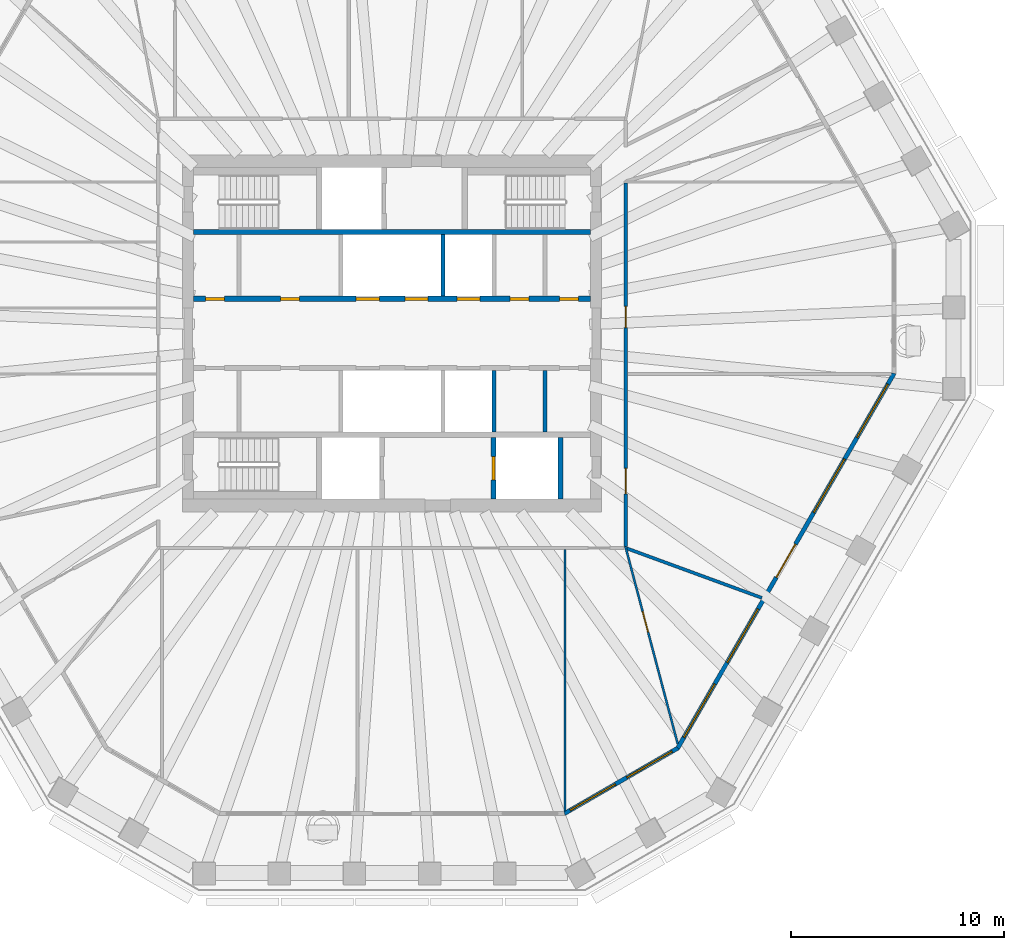
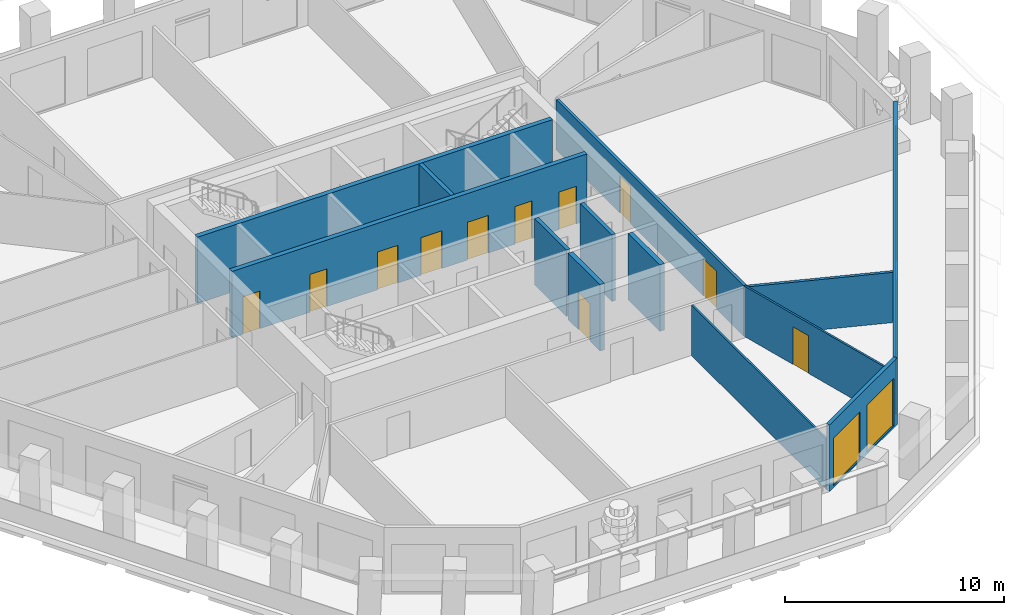
# One storey, part 5 of 12: 13 walls, 12 doors, 7 windows, 19 openings.
"""IFC4 building model written with IfcOpenShell, lengths in metres."""

from ifc_helpers import new_model, si_unit, direction, frame, frame_2d, origin, place, context, subcontext, project, spatial, polyline, rectangle, outline, extrude, material, layer, layer_set, type_object, element, fill, save


model = new_model("IFC4")

# Units and contexts
model_context = context("Model", 3, precision=1e-05, world=origin(), true_north=direction((0.0, 1.0)))
body_context = subcontext(model_context, "Body", "Model", "MODEL_VIEW")
ifc_project = project(units=[si_unit("LENGTHUNIT", "METRE"), si_unit("AREAUNIT", "SQUARE_METRE"), si_unit("VOLUMEUNIT", "CUBIC_METRE"), si_unit("PLANEANGLEUNIT", "RADIAN"), si_unit("MASSUNIT", "GRAM", prefix="KILO")], contexts=[model_context])

# Site, building, storey
site_placement = place(None, origin())
site = spatial("IfcSite", under=ifc_project, at=site_placement, CompositionType="ELEMENT")
building_placement = place(site_placement, origin())
building = spatial("IfcBuilding", under=site, at=building_placement, Name="Frailejon Research Tower", CompositionType="ELEMENT")
storey_placement = place(building_placement, frame((0.0, 0.0, 249.39990234375)))
storey = spatial("IfcBuildingStorey", under=building, at=storey_placement, Name="L54", CompositionType="ELEMENT", Elevation=249.39990234375)

# Wall, openings, doors
ifc_material_1 = material(Name="Gypsum board and masonry partition", Category="masonry")
ifc_layer_1 = layer(ifc_material_1, 0.14990234375)
ifc_layer_set_1 = layer_set([ifc_layer_1], Name="Corridor wall EI 60, gypsum on steel studs 150")
wall_type_1 = type_object("IfcWallType", Name="Corridor wall EI 60, gypsum on steel studs 150", PredefinedType="PARTITIONING", material=ifc_layer_set_1)
wall_1_placement = place(storey_placement, frame((11.0, -10.02490234375, 0.0), z_axis=(0.0, 0.0, 1.0), x_axis=(0.0, 1.0, 0.0)))
wall_1 = element("IfcWall", 1, at=wall_1_placement, inside=storey, type_object=wall_type_1, Name="T:IW:L54:005", PredefinedType="PARTITIONING", context=body_context, shape_type="SweptSolid", body=[
    extrude(rectangle(XDim=17.09228515625, YDim=0.14990234375, at=frame_2d((8.546142578125, 0.0))), origin(), (0.0, 0.0, 1.0), 2.800048828125),
])
opening_1_placement = place(wall_1_placement, frame((10.297607421875, 0.0, 0.0)))
opening_1 = element("IfcOpeningElement", 2, at=opening_1_placement, cuts=wall_1, Name="Opening D2051", PredefinedType="OPENING", context=body_context, shape_type="SweptSolid", body=[
    extrude(rectangle(XDim=1.0, YDim=2.10009765625, at=frame_2d((0.5, 1.050048828125))), frame((0.0, 0.0849609375, 0.0), z_axis=(0.0, -1.0, 0.0), x_axis=(1.0, 0.0, 0.0)), (0.0, 0.0, 1.0), 0.169921875),
])
opening_2_placement = place(wall_1_placement, frame((2.476806640625, 0.0, 0.0)))
opening_2 = element("IfcOpeningElement", 3, at=opening_2_placement, cuts=wall_1, Name="Opening D2070", PredefinedType="OPENING", context=body_context, shape_type="SweptSolid", body=[
    extrude(rectangle(XDim=1.199951171875, YDim=2.10009765625, at=frame_2d((0.60009765625, 1.050048828125))), frame((0.0, 0.0849609375, 0.0), z_axis=(0.0, -1.0, 0.0), x_axis=(1.0, 0.0, 0.0)), (0.0, 0.0, 1.0), 0.169921875),
])
ifc_material_2 = material(Name="Timber door leaf", Category="wood")
door_type_1 = type_object("IfcDoorType", Name="Door laboratory, timber, vision panel 1200", OperationType="NOTDEFINED", PredefinedType="DOOR", material=ifc_material_2)
door_1_placement = place(opening_2_placement, origin())
door_1 = element("IfcDoor", 4, at=door_1_placement, inside=storey, type_object=door_type_1, Name="D2070", OperationType="DOUBLE_DOOR_SINGLE_SWING", OverallHeight=2.10009765625, OverallWidth=1.199951171875, PredefinedType="DOOR", context=body_context, shape_type="SweptSolid", body=[
    extrude(rectangle(XDim=1.199951171875, YDim=2.10009765625, at=frame_2d((0.60009765625, 1.050048828125))), frame((0.0, 0.02490234375, 0.0), z_axis=(0.0, -1.0, 0.0), x_axis=(1.0, 0.0, 0.0)), (0.0, 0.0, 1.0), 0.050048828125),
])
fill(opening_2, door_1)
ifc_material_3 = material(Name="Timber door leaf", Category="wood")
door_type_2 = type_object("IfcDoorType", Name="Door single leaf, timber, steel frame 1000", OperationType="NOTDEFINED", PredefinedType="DOOR", material=ifc_material_3)
door_2_placement = place(opening_1_placement, origin())
door_2 = element("IfcDoor", 5, at=door_2_placement, inside=storey, type_object=door_type_2, Name="D2051", OperationType="SINGLE_SWING_RIGHT", OverallHeight=2.10009765625, OverallWidth=1.0, PredefinedType="DOOR", context=body_context, shape_type="SweptSolid", body=[
    extrude(rectangle(XDim=1.0, YDim=2.10009765625, at=frame_2d((0.5, 1.050048828125))), frame((0.0, 0.02490234375, 0.0), z_axis=(0.0, -1.0, 0.0), x_axis=(1.0, 0.0, 0.0)), (0.0, 0.0, 1.0), 0.050048828125),
])
fill(opening_1, door_2)

# Walls
ifc_material_4 = material(Name="Gypsum board and masonry partition", Category="masonry")
ifc_layer_2 = layer(ifc_material_4, 0.14990234375)
ifc_layer_set_2 = layer_set([ifc_layer_2], Name="Laboratory partition, blockwork 150")
wall_type_2 = type_object("IfcWallType", Name="Laboratory partition, blockwork 150", PredefinedType="PARTITIONING", material=ifc_layer_set_2)
wall_2_placement = place(storey_placement, frame((11.046875, -10.1171875, 0.0), z_axis=(0.0, 0.0, 1.0), x_axis=(0.938944627459, -0.344068287649, 0.0)))
element("IfcWall", 6, at=wall_2_placement, inside=storey, type_object=wall_type_2, Name="T:IW:L54:016", PredefinedType="PARTITIONING", context=body_context, shape_type="SweptSolid", body=[
    extrude(rectangle(XDim=6.77490234375, YDim=0.14990234375, at=frame_2d((3.387451171875, 0.0))), origin(), (0.0, 0.0, 1.0), 2.800048828125),
])
ifc_material_5 = material(Name="Gypsum board and masonry partition", Category="masonry")
ifc_layer_3 = layer(ifc_material_5, 0.10009765625)
ifc_layer_set_3 = layer_set([ifc_layer_3], Name="Partition, gypsum on steel studs 100")
wall_type_3 = type_object("IfcWallType", Name="Partition, gypsum on steel studs 100", PredefinedType="PARTITIONING", material=ifc_layer_set_3)
wall_3_placement = place(storey_placement, frame((8.14013671875, -22.46337890625, 0.0), z_axis=(0.0, 0.0, 1.0), x_axis=(0.0, 1.0, 0.0)))
element("IfcWall", 7, at=wall_3_placement, inside=storey, type_object=wall_type_3, Name="T:IW:L54:027", PredefinedType="PARTITIONING", context=body_context, shape_type="SweptSolid", body=[
    extrude(rectangle(XDim=12.288330078125, YDim=0.10009765625, at=frame_2d((6.14404296875, 0.0))), origin(), (0.0, 0.0, 1.0), 2.800048828125),
])

# Wall, opening, door
wall_4_placement = place(storey_placement, frame((10.980712890625, -10.027587890625, 0.0), z_axis=(0.0, 0.0, 1.0), x_axis=(0.256182332318, -0.966628477031, 0.0)))
wall_4 = element("IfcWall", 8, at=wall_4_placement, inside=storey, type_object=wall_type_3, Name="T:IW:L54:028", PredefinedType="PARTITIONING", context=body_context, shape_type="SweptSolid", body=[
    extrude(rectangle(XDim=9.610107421875, YDim=0.10009765625, at=frame_2d((4.80517578125, 0.0))), origin(), (0.0, 0.0, 1.0), 2.800048828125),
])
opening_3_placement = place(wall_4_placement, frame((3.167236328125, 0.0, 0.0)))
opening_3 = element("IfcOpeningElement", 9, at=opening_3_placement, cuts=wall_4, Name="Opening D2069", PredefinedType="OPENING", context=body_context, shape_type="SweptSolid", body=[
    extrude(rectangle(XDim=1.0, YDim=2.10009765625, at=frame_2d((0.5, 1.050048828125))), frame((0.0, 0.06005859375, 0.0), z_axis=(0.0, -1.0, 0.0), x_axis=(1.0, 0.0, 0.0)), (0.0, 0.0, 1.0), 0.1201171875),
])
door_3_placement = place(opening_3_placement, origin())
door_3 = element("IfcDoor", 10, at=door_3_placement, inside=storey, type_object=door_type_2, Name="D2069", OperationType="SINGLE_SWING_RIGHT", OverallHeight=2.10009765625, OverallWidth=1.0, PredefinedType="DOOR", context=body_context, shape_type="SweptSolid", body=[
    extrude(rectangle(XDim=1.0, YDim=2.10009765625, at=frame_2d((0.5, 1.050048828125))), frame((0.0, 0.02490234375, 0.0), z_axis=(0.0, -1.0, 0.0), x_axis=(1.0, 0.0, 0.0)), (0.0, 0.0, 1.0), 0.050048828125),
])
fill(opening_3, door_3)

# Walls
ifc_material_6 = material(Name="Concrete C60/75", Category="concrete")
ifc_layer_4 = layer(ifc_material_6, 0.199951171875)
ifc_layer_set_4 = layer_set([ifc_layer_4], Name="Shaft wall 200 C60/75")
wall_type_4 = type_object("IfcWallType", Name="Shaft wall 200 C60/75", PredefinedType="SOLIDWALL", material=ifc_layer_set_4)
for number, where, z_axis, x_axis, name in (
    (11, (2.39990234375, 1.75, 0.0), (0.0, 0.0, 1.0), (0.0, 1.0, 0.0), "Shaft wall"),
    (12, (4.800048828125, -4.64990234375, 0.0), (0.0, 0.0, 1.0), (0.0, 1.0, 0.0), "Shaft wall"),
    (13, (7.199951171875, -4.64990234375, 0.0), (0.0, 0.0, 1.0), (0.0, 1.0, 0.0), "Shaft wall"),
):
    element("IfcWall", number, at=place(storey_placement, frame(where, z_axis=z_axis, x_axis=x_axis)), inside=storey, type_object=wall_type_4, Name=name, PredefinedType="SOLIDWALL", context=body_context, shape_type="SweptSolid", body=[
        extrude(rectangle(XDim=2.89990234375, YDim=0.199951171875, at=frame_2d((1.449951171875, 0.0))), origin(), (0.0, 0.0, 1.0), 3.7001953125),
    ])

# Wall, openings, doors
ifc_material_7 = material(Name="Concrete C60/75", Category="concrete")
ifc_layer_5 = layer(ifc_material_7, 0.25)
ifc_layer_set_5 = layer_set([ifc_layer_5], Name="Shaft wall 250 C60/75")
wall_type_5 = type_object("IfcWallType", Name="Shaft wall 250 C60/75", PredefinedType="SOLIDWALL", material=ifc_layer_set_5)
wall_5_placement = place(storey_placement, frame((-9.35009765625, 1.625, 0.0), z_axis=(0.0, 0.0, 1.0), x_axis=(1.0, 0.0, 0.0)))
wall_5 = element("IfcWall", 14, at=wall_5_placement, inside=storey, type_object=wall_type_5, Name="Shaft wall", PredefinedType="SOLIDWALL", context=body_context, shape_type="SweptSolid", body=[
    extrude(rectangle(XDim=18.7001953125, YDim=0.25, at=frame_2d((9.35009765625, 0.0))), origin(), (0.0, 0.0, 1.0), 3.7001953125),
])
opening_4_placement = place(wall_5_placement, frame((7.64990234375, 0.0, 0.0)))
opening_4 = element("IfcOpeningElement", 15, at=opening_4_placement, cuts=wall_5, Name="Opening LD", PredefinedType="OPENING", context=body_context, shape_type="SweptSolid", body=[
    extrude(rectangle(XDim=1.10009765625, YDim=2.10009765625, at=frame_2d((0.550048828125, 1.050048828125))), frame((0.0, 0.135009765625, 0.0), z_axis=(0.0, -1.0, 0.0), x_axis=(1.0, 0.0, 0.0)), (0.0, 0.0, 1.0), 0.27001953125),
])
opening_5_placement = place(wall_5_placement, frame((9.949951171875, 0.0, 0.0)))
opening_5 = element("IfcOpeningElement", 16, at=opening_5_placement, cuts=wall_5, Name="Opening LD", PredefinedType="OPENING", context=body_context, shape_type="SweptSolid", body=[
    extrude(rectangle(XDim=1.10009765625, YDim=2.10009765625, at=frame_2d((0.550048828125, 1.050048828125))), frame((0.0, 0.135009765625, 0.0), z_axis=(0.0, -1.0, 0.0), x_axis=(1.0, 0.0, 0.0)), (0.0, 0.0, 1.0), 0.27001953125),
])
opening_6_placement = place(wall_5_placement, frame((12.39990234375, 0.0, 0.0)))
opening_6 = element("IfcOpeningElement", 17, at=opening_6_placement, cuts=wall_5, Name="Opening LD", PredefinedType="OPENING", context=body_context, shape_type="SweptSolid", body=[
    extrude(rectangle(XDim=1.10009765625, YDim=2.10009765625, at=frame_2d((0.550048828125, 1.050048828125))), frame((0.0, 0.135009765625, 0.0), z_axis=(0.0, -1.0, 0.0), x_axis=(1.0, 0.0, 0.0)), (0.0, 0.0, 1.0), 0.27001953125),
])
opening_7_placement = place(wall_5_placement, frame((0.574951171875, 0.0, 0.0)))
opening_7 = element("IfcOpeningElement", 18, at=opening_7_placement, cuts=wall_5, Name="Opening D8", PredefinedType="OPENING", context=body_context, shape_type="SweptSolid", body=[
    extrude(rectangle(XDim=0.89990234375, YDim=2.10009765625, at=frame_2d((0.449951171875, 1.050048828125))), frame((0.0, 0.135009765625, 0.0), z_axis=(0.0, -1.0, 0.0), x_axis=(1.0, 0.0, 0.0)), (0.0, 0.0, 1.0), 0.27001953125),
])
opening_8_placement = place(wall_5_placement, frame((4.10009765625, 0.0, 0.0)))
opening_8 = element("IfcOpeningElement", 19, at=opening_8_placement, cuts=wall_5, Name="Opening D8", PredefinedType="OPENING", context=body_context, shape_type="SweptSolid", body=[
    extrude(rectangle(XDim=0.89990234375, YDim=2.10009765625, at=frame_2d((0.449951171875, 1.050048828125))), frame((0.0, 0.135009765625, 0.0), z_axis=(0.0, -1.0, 0.0), x_axis=(1.0, 0.0, 0.0)), (0.0, 0.0, 1.0), 0.27001953125),
])
opening_9_placement = place(wall_5_placement, frame((14.89990234375, 0.0, 0.0)))
opening_9 = element("IfcOpeningElement", 20, at=opening_9_placement, cuts=wall_5, Name="Opening D8", PredefinedType="OPENING", context=body_context, shape_type="SweptSolid", body=[
    extrude(rectangle(XDim=0.89990234375, YDim=2.10009765625, at=frame_2d((0.449951171875, 1.050048828125))), frame((0.0, 0.135009765625, 0.0), z_axis=(0.0, -1.0, 0.0), x_axis=(1.0, 0.0, 0.0)), (0.0, 0.0, 1.0), 0.27001953125),
])
opening_10_placement = place(wall_5_placement, frame((17.22509765625, 0.0, 0.0)))
opening_10 = element("IfcOpeningElement", 21, at=opening_10_placement, cuts=wall_5, Name="Opening D8", PredefinedType="OPENING", context=body_context, shape_type="SweptSolid", body=[
    extrude(rectangle(XDim=0.89990234375, YDim=2.10009765625, at=frame_2d((0.449951171875, 1.050048828125))), frame((0.0, 0.135009765625, 0.0), z_axis=(0.0, -1.0, 0.0), x_axis=(1.0, 0.0, 0.0)), (0.0, 0.0, 1.0), 0.27001953125),
])
ifc_material_8 = material(Name="Steel", Category="steel")
door_type_3 = type_object("IfcDoorType", Name="Core room door", OperationType="SINGLE_SWING_LEFT", PredefinedType="DOOR", material=ifc_material_8)
door_4_placement = place(opening_7_placement, origin())
door_4 = element("IfcDoor", 22, at=door_4_placement, inside=storey, type_object=door_type_3, Name="Room door", OperationType="SINGLE_SWING_RIGHT", OverallHeight=2.10009765625, OverallWidth=0.89990234375, PredefinedType="DOOR", context=body_context, shape_type="SweptSolid", body=[
    extrude(rectangle(XDim=0.89990234375, YDim=2.10009765625, at=frame_2d((0.449951171875, 1.050048828125))), frame((0.0, 0.074951171875, 0.0), z_axis=(0.0, -1.0, 0.0), x_axis=(1.0, 0.0, 0.0)), (0.0, 0.0, 1.0), 0.14990234375),
])
fill(opening_7, door_4)
door_5_placement = place(opening_8_placement, origin())
door_5 = element("IfcDoor", 23, at=door_5_placement, inside=storey, type_object=door_type_3, Name="Room door", OperationType="SINGLE_SWING_LEFT", OverallHeight=2.10009765625, OverallWidth=0.89990234375, PredefinedType="DOOR", context=body_context, shape_type="SweptSolid", body=[
    extrude(rectangle(XDim=0.89990234375, YDim=2.10009765625, at=frame_2d((0.449951171875, 1.050048828125))), frame((0.0, 0.074951171875, 0.0), z_axis=(0.0, -1.0, 0.0), x_axis=(1.0, 0.0, 0.0)), (0.0, 0.0, 1.0), 0.14990234375),
])
fill(opening_8, door_5)
door_6_placement = place(opening_9_placement, origin())
door_6 = element("IfcDoor", 24, at=door_6_placement, inside=storey, type_object=door_type_3, Name="Room door", OperationType="SINGLE_SWING_RIGHT", OverallHeight=2.10009765625, OverallWidth=0.89990234375, PredefinedType="DOOR", context=body_context, shape_type="SweptSolid", body=[
    extrude(rectangle(XDim=0.89990234375, YDim=2.10009765625, at=frame_2d((0.449951171875, 1.050048828125))), frame((0.0, 0.074951171875, 0.0), z_axis=(0.0, -1.0, 0.0), x_axis=(1.0, 0.0, 0.0)), (0.0, 0.0, 1.0), 0.14990234375),
])
fill(opening_9, door_6)
door_7_placement = place(opening_10_placement, origin())
door_7 = element("IfcDoor", 25, at=door_7_placement, inside=storey, type_object=door_type_3, Name="Room door", OperationType="SINGLE_SWING_LEFT", OverallHeight=2.10009765625, OverallWidth=0.89990234375, PredefinedType="DOOR", context=body_context, shape_type="SweptSolid", body=[
    extrude(rectangle(XDim=0.89990234375, YDim=2.10009765625, at=frame_2d((0.449951171875, 1.050048828125))), frame((0.0, 0.074951171875, 0.0), z_axis=(0.0, -1.0, 0.0), x_axis=(1.0, 0.0, 0.0)), (0.0, 0.0, 1.0), 0.14990234375),
])
fill(opening_10, door_7)
ifc_material_9 = material(Name="Steel", Category="steel")
door_type_4 = type_object("IfcDoorType", Name="Lift landing door", OperationType="DOUBLE_DOOR_SLIDING", PredefinedType="DOOR", material=ifc_material_9)
door_8_placement = place(opening_4_placement, origin())
door_8 = element("IfcDoor", 26, at=door_8_placement, inside=storey, type_object=door_type_4, Name="Lift landing door", OperationType="DOUBLE_DOOR_SLIDING", OverallHeight=2.10009765625, OverallWidth=1.10009765625, PredefinedType="DOOR", context=body_context, shape_type="SweptSolid", body=[
    extrude(rectangle(XDim=1.10009765625, YDim=2.10009765625, at=frame_2d((0.550048828125, 1.050048828125))), frame((0.0, 0.074951171875, 0.0), z_axis=(0.0, -1.0, 0.0), x_axis=(1.0, 0.0, 0.0)), (0.0, 0.0, 1.0), 0.14990234375),
])
fill(opening_4, door_8)
door_9_placement = place(opening_5_placement, origin())
door_9 = element("IfcDoor", 27, at=door_9_placement, inside=storey, type_object=door_type_4, Name="Lift landing door", OperationType="DOUBLE_DOOR_SLIDING", OverallHeight=2.10009765625, OverallWidth=1.10009765625, PredefinedType="DOOR", context=body_context, shape_type="SweptSolid", body=[
    extrude(rectangle(XDim=1.10009765625, YDim=2.10009765625, at=frame_2d((0.550048828125, 1.050048828125))), frame((0.0, 0.074951171875, 0.0), z_axis=(0.0, -1.0, 0.0), x_axis=(1.0, 0.0, 0.0)), (0.0, 0.0, 1.0), 0.14990234375),
])
fill(opening_5, door_9)
door_10_placement = place(opening_6_placement, origin())
door_10 = element("IfcDoor", 28, at=door_10_placement, inside=storey, type_object=door_type_4, Name="Lift landing door", OperationType="DOUBLE_DOOR_SLIDING", OverallHeight=2.10009765625, OverallWidth=1.10009765625, PredefinedType="DOOR", context=body_context, shape_type="SweptSolid", body=[
    extrude(rectangle(XDim=1.10009765625, YDim=2.10009765625, at=frame_2d((0.550048828125, 1.050048828125))), frame((0.0, 0.074951171875, 0.0), z_axis=(0.0, -1.0, 0.0), x_axis=(1.0, 0.0, 0.0)), (0.0, 0.0, 1.0), 0.14990234375),
])
fill(opening_6, door_10)

# Wall
wall_6_placement = place(storey_placement, frame((-9.35009765625, 4.77490234375, 0.0), z_axis=(0.0, 0.0, 1.0), x_axis=(1.0, 0.0, 0.0)))
element("IfcWall", 29, at=wall_6_placement, inside=storey, type_object=wall_type_5, Name="Shaft wall", PredefinedType="SOLIDWALL", context=body_context, shape_type="SweptSolid", body=[
    extrude(rectangle(XDim=18.7001953125, YDim=0.25, at=frame_2d((9.35009765625, 0.0))), origin(), (0.0, 0.0, 1.0), 3.7001953125),
])

# Wall, opening, door
wall_7_placement = place(storey_placement, frame((4.77490234375, -7.800048828125, 0.0), z_axis=(0.0, 0.0, 1.0), x_axis=(0.0, 1.0, 0.0)))
wall_7 = element("IfcWall", 30, at=wall_7_placement, inside=storey, type_object=wall_type_5, Name="Shaft wall", PredefinedType="SOLIDWALL", context=body_context, shape_type="SweptSolid", body=[
    extrude(rectangle(XDim=2.900146484375, YDim=0.25, at=frame_2d((1.4501953125, 0.0))), origin(), (0.0, 0.0, 1.0), 3.7001953125),
])
opening_11_placement = place(wall_7_placement, frame((0.89990234375, 0.0, 0.0)))
opening_11 = element("IfcOpeningElement", 31, at=opening_11_placement, cuts=wall_7, Name="Opening LD", PredefinedType="OPENING", context=body_context, shape_type="SweptSolid", body=[
    extrude(rectangle(XDim=1.10009765625, YDim=2.10009765625, at=frame_2d((0.550048828125, 1.050048828125))), frame((0.0, 0.135009765625, 0.0), z_axis=(0.0, -1.0, 0.0), x_axis=(1.0, 0.0, 0.0)), (0.0, 0.0, 1.0), 0.27001953125),
])
door_11_placement = place(opening_11_placement, origin())
door_11 = element("IfcDoor", 32, at=door_11_placement, inside=storey, type_object=door_type_4, Name="Lift landing door", OperationType="DOUBLE_DOOR_SLIDING", OverallHeight=2.10009765625, OverallWidth=1.10009765625, PredefinedType="DOOR", context=body_context, shape_type="SweptSolid", body=[
    extrude(rectangle(XDim=1.10009765625, YDim=2.10009765625, at=frame_2d((0.550048828125, 1.050048828125))), frame((0.0, 0.074951171875, 0.0), z_axis=(0.0, -1.0, 0.0), x_axis=(1.0, 0.0, 0.0)), (0.0, 0.0, 1.0), 0.14990234375),
])
fill(opening_11, door_11)

# Wall
wall_8_placement = place(storey_placement, frame((7.925048828125, -7.800048828125, 0.0), z_axis=(0.0, 0.0, 1.0), x_axis=(0.0, 1.0, 0.0)))
element("IfcWall", 33, at=wall_8_placement, inside=storey, type_object=wall_type_5, Name="Shaft wall", PredefinedType="SOLIDWALL", context=body_context, shape_type="SweptSolid", body=[
    extrude(rectangle(XDim=2.900146484375, YDim=0.25, at=frame_2d((1.4501953125, 0.0))), origin(), (0.0, 0.0, 1.0), 3.7001953125),
])

# Wall, openings, windows
ifc_material_10 = material(Name="Concrete C40/50 precast window wall panel", Category="concrete")
ifc_layer_6 = layer(ifc_material_10, 0.199951171875)
ifc_layer_set_6 = layer_set([ifc_layer_6], Name="Window wall 200")
wall_type_6 = type_object("IfcWallType", Name="Window wall 200", PredefinedType="SOLIDWALL", material=ifc_layer_set_6)
wall_9_placement = place(storey_placement, frame((8.11328125, -22.59423828125, 0.0), z_axis=(0.0, 0.0, 1.0), x_axis=(0.866012465712, 0.500022408728, 0.0)))
wall_9 = element("IfcWall", 34, at=wall_9_placement, inside=storey, type_object=wall_type_6, Name="Exterior wall L54", PredefinedType="SOLIDWALL", context=body_context, shape_type="SweptSolid", body=[
    extrude(outline(polyline([(-0.02685546875, -0.10009765625), (1.007568359375, -0.10009765625), (2.0419921875, -0.10009765625), (3.07666015625, -0.10009765625), (4.111083984375, -0.10009765625), (5.1455078125, -0.10009765625), (6.179931640625, -0.10009765625), (6.126220703125, 0.10009765625), (5.109619140625, 0.10009765625), (4.093017578125, 0.10009765625), (3.07666015625, 0.10009765625), (2.06005859375, 0.10009765625), (1.04345703125, 0.10009765625), (0.02685546875, 0.10009765625), (-0.02685546875, -0.10009765625)])), origin(), (0.0, 0.0, 1.0), 3.7001953125),
])
opening_12_placement = place(wall_9_placement, frame((0.313232421875, 0.0, 0.10009765625)))
opening_12 = element("IfcOpeningElement", 35, at=opening_12_placement, cuts=wall_9, Name="Opening W17", PredefinedType="OPENING", context=body_context, shape_type="SweptSolid", body=[
    extrude(rectangle(XDim=2.449951171875, YDim=2.64990234375, at=frame_2d((1.22509765625, 1.324951171875))), frame((0.0, 0.10986328125, 0.0), z_axis=(0.0, -1.0, 0.0), x_axis=(1.0, 0.0, 0.0)), (0.0, 0.0, 1.0), 0.219970703125),
])
opening_13_placement = place(wall_9_placement, frame((3.3896484375, 0.0, 0.10009765625)))
opening_13 = element("IfcOpeningElement", 36, at=opening_13_placement, cuts=wall_9, Name="Opening W17", PredefinedType="OPENING", context=body_context, shape_type="SweptSolid", body=[
    extrude(rectangle(XDim=2.449951171875, YDim=2.64990234375, at=frame_2d((1.22509765625, 1.324951171875))), frame((0.0, 0.10986328125, 0.0), z_axis=(0.0, -1.0, 0.0), x_axis=(1.0, 0.0, 0.0)), (0.0, 0.0, 1.0), 0.219970703125),
])
ifc_material_11 = material(Name="Aluminium framed double glazing", Category="aluminium")
window_type_1 = type_object("IfcWindowType", Name="Window 2450x2650", PartitioningType="SINGLE_PANEL", PredefinedType="WINDOW", material=ifc_material_11)
window_1_placement = place(opening_12_placement, origin())
window_1 = element("IfcWindow", 37, at=window_1_placement, inside=storey, type_object=window_type_1, Name="Window L54", OverallHeight=2.64990234375, OverallWidth=2.449951171875, PartitioningType="SINGLE_PANEL", PredefinedType="WINDOW", context=body_context, shape_type="SweptSolid", body=[
    extrude(rectangle(XDim=2.449951171875, YDim=2.64990234375, at=frame_2d((1.22509765625, 1.324951171875))), frame((0.0, 0.030029296875, 0.0), z_axis=(0.0, -1.0, 0.0), x_axis=(1.0, 0.0, 0.0)), (0.0, 0.0, 1.0), 0.06005859375),
])
fill(opening_12, window_1)
window_2_placement = place(opening_13_placement, origin())
window_2 = element("IfcWindow", 38, at=window_2_placement, inside=storey, type_object=window_type_1, Name="Window L54", OverallHeight=2.64990234375, OverallWidth=2.449951171875, PartitioningType="SINGLE_PANEL", PredefinedType="WINDOW", context=body_context, shape_type="SweptSolid", body=[
    extrude(rectangle(XDim=2.449951171875, YDim=2.64990234375, at=frame_2d((1.22509765625, 1.324951171875))), frame((0.0, 0.030029296875, 0.0), z_axis=(0.0, -1.0, 0.0), x_axis=(1.0, 0.0, 0.0)), (0.0, 0.0, 1.0), 0.06005859375),
])
fill(opening_13, window_2)

# Wall, openings, door, windows
wall_10_placement = place(storey_placement, frame((13.44189453125, -19.517578125, 0.0), z_axis=(0.0, 0.0, 1.0), x_axis=(0.50000612033, 0.866021870181, 0.0)))
wall_10 = element("IfcWall", 39, at=wall_10_placement, inside=storey, type_object=wall_type_6, Name="Exterior wall L54", PredefinedType="SOLIDWALL", context=body_context, shape_type="SweptSolid", body=[
    extrude(outline(polyline([(-0.02685546875, -0.10009765625), (0.993896484375, -0.10009765625), (2.014892578125, -0.10009765625), (3.03564453125, -0.10009765625), (4.056640625, -0.10009765625), (5.077392578125, -0.10009765625), (6.098388671875, -0.10009765625), (7.119140625, -0.10009765625), (8.14013671875, -0.10009765625), (9.160888671875, -0.10009765625), (10.181640625, -0.10009765625), (11.20263671875, -0.10009765625), (12.223388671875, -0.10009765625), (13.244384765625, -0.10009765625), (14.26513671875, -0.10009765625), (15.2861328125, -0.10009765625), (16.306884765625, -0.10009765625), (17.327880859375, -0.10009765625), (18.3486328125, -0.10009765625), (19.36962890625, -0.10009765625), (20.390380859375, -0.10009765625), (20.336669921875, 0.10009765625), (19.3212890625, 0.10009765625), (18.3056640625, 0.10009765625), (17.290283203125, 0.10009765625), (16.274658203125, 0.10009765625), (15.25927734375, 0.10009765625), (14.24365234375, 0.10009765625), (13.228271484375, 0.10009765625), (12.212646484375, 0.10009765625), (11.197265625, 0.10009765625), (10.181640625, 0.10009765625), (9.166259765625, 0.10009765625), (8.15087890625, 0.10009765625), (7.13525390625, 0.10009765625), (6.119873046875, 0.10009765625), (5.104248046875, 0.10009765625), (4.0888671875, 0.10009765625), (3.0732421875, 0.10009765625), (2.057861328125, 0.10009765625), (1.042236328125, 0.10009765625), (0.02685546875, 0.10009765625), (-0.02685546875, -0.10009765625)])), origin(), (0.0, 0.0, 1.0), 3.7001953125),
])
opening_14_placement = place(wall_10_placement, frame((0.58642578125, 0.0, 0.10009765625)))
opening_14 = element("IfcOpeningElement", 40, at=opening_14_placement, cuts=wall_10, Name="Opening W20", PredefinedType="OPENING", context=body_context, shape_type="SweptSolid", body=[
    extrude(rectangle(XDim=2.89990234375, YDim=2.64990234375, at=frame_2d((1.449951171875, 1.324951171875))), frame((0.0, 0.10986328125, 0.0), z_axis=(0.0, -1.0, 0.0), x_axis=(1.0, 0.0, 0.0)), (0.0, 0.0, 1.0), 0.219970703125),
])
opening_15_placement = place(wall_10_placement, frame((4.6591796875, 0.0, 0.10009765625)))
opening_15 = element("IfcOpeningElement", 41, at=opening_15_placement, cuts=wall_10, Name="Opening W20", PredefinedType="OPENING", context=body_context, shape_type="SweptSolid", body=[
    extrude(rectangle(XDim=2.89990234375, YDim=2.64990234375, at=frame_2d((1.449951171875, 1.324951171875))), frame((0.0, 0.10986328125, 0.0), z_axis=(0.0, -1.0, 0.0), x_axis=(1.0, 0.0, 0.0)), (0.0, 0.0, 1.0), 0.219970703125),
])
opening_16_placement = place(wall_10_placement, frame((9.28173828125, 0.0, 0.0)))
opening_16 = element("IfcOpeningElement", 42, at=opening_16_placement, cuts=wall_10, Name="Opening LG54-6", PredefinedType="OPENING", context=body_context, shape_type="SweptSolid", body=[
    extrude(rectangle(XDim=1.800048828125, YDim=2.39990234375, at=frame_2d((0.89990234375, 1.199951171875))), frame((0.0, 0.10986328125, 0.0), z_axis=(0.0, -1.0, 0.0), x_axis=(1.0, 0.0, 0.0)), (0.0, 0.0, 1.0), 0.219970703125),
])
opening_17_placement = place(wall_10_placement, frame((9.28173828125, 0.0, 2.550048828125)))
opening_17 = element("IfcOpeningElement", 43, at=opening_17_placement, cuts=wall_10, Name="Opening W19", PredefinedType="OPENING", context=body_context, shape_type="SweptSolid", body=[
    extrude(rectangle(XDim=1.800048828125, YDim=0.199951171875, at=frame_2d((0.89990234375, 0.10009765625))), frame((0.0, 0.10986328125, 0.0), z_axis=(0.0, -1.0, 0.0), x_axis=(1.0, 0.0, 0.0)), (0.0, 0.0, 1.0), 0.219970703125),
])
opening_18_placement = place(wall_10_placement, frame((12.8046875, 0.0, 0.10009765625)))
opening_18 = element("IfcOpeningElement", 44, at=opening_18_placement, cuts=wall_10, Name="Opening W20", PredefinedType="OPENING", context=body_context, shape_type="SweptSolid", body=[
    extrude(rectangle(XDim=2.89990234375, YDim=2.64990234375, at=frame_2d((1.449951171875, 1.324951171875))), frame((0.0, 0.10986328125, 0.0), z_axis=(0.0, -1.0, 0.0), x_axis=(1.0, 0.0, 0.0)), (0.0, 0.0, 1.0), 0.219970703125),
])
opening_19_placement = place(wall_10_placement, frame((16.877197265625, 0.0, 0.10009765625)))
opening_19 = element("IfcOpeningElement", 45, at=opening_19_placement, cuts=wall_10, Name="Opening W20", PredefinedType="OPENING", context=body_context, shape_type="SweptSolid", body=[
    extrude(rectangle(XDim=2.89990234375, YDim=2.64990234375, at=frame_2d((1.449951171875, 1.324951171875))), frame((0.0, 0.10986328125, 0.0), z_axis=(0.0, -1.0, 0.0), x_axis=(1.0, 0.0, 0.0)), (0.0, 0.0, 1.0), 0.219970703125),
])
ifc_material_12 = material(Name="Aluminium framed glazed door leaf", Category="aluminium")
door_type_5 = type_object("IfcDoorType", Name="Loggia door 1800x2400", OperationType="DOUBLE_DOOR_SINGLE_SWING", PredefinedType="DOOR", material=ifc_material_12)
door_12_placement = place(opening_16_placement, origin())
door_12 = element("IfcDoor", 46, at=door_12_placement, inside=storey, type_object=door_type_5, Name="Door LG54-6", OperationType="DOUBLE_DOOR_SINGLE_SWING", OverallHeight=2.39990234375, OverallWidth=1.800048828125, PredefinedType="DOOR", context=body_context, shape_type="SweptSolid", body=[
    extrude(rectangle(XDim=1.800048828125, YDim=2.39990234375, at=frame_2d((0.89990234375, 1.199951171875))), frame((0.0, 0.02490234375, 0.0), z_axis=(0.0, -1.0, 0.0), x_axis=(1.0, 0.0, 0.0)), (0.0, 0.0, 1.0), 0.050048828125),
])
fill(opening_16, door_12)
ifc_material_13 = material(Name="Aluminium framed double glazing", Category="aluminium")
window_type_2 = type_object("IfcWindowType", Name="Window 1800x200", PartitioningType="SINGLE_PANEL", PredefinedType="WINDOW", material=ifc_material_13)
window_3_placement = place(opening_17_placement, origin())
window_3 = element("IfcWindow", 47, at=window_3_placement, inside=storey, type_object=window_type_2, Name="Window L54", OverallHeight=0.199951171875, OverallWidth=1.800048828125, PartitioningType="SINGLE_PANEL", PredefinedType="WINDOW", context=body_context, shape_type="SweptSolid", body=[
    extrude(rectangle(XDim=1.800048828125, YDim=0.199951171875, at=frame_2d((0.89990234375, 0.10009765625))), frame((0.0, 0.030029296875, 0.0), z_axis=(0.0, -1.0, 0.0), x_axis=(1.0, 0.0, 0.0)), (0.0, 0.0, 1.0), 0.06005859375),
])
fill(opening_17, window_3)
ifc_material_14 = material(Name="Aluminium framed double glazing", Category="aluminium")
window_type_3 = type_object("IfcWindowType", Name="Window 2900x2650", PartitioningType="SINGLE_PANEL", PredefinedType="WINDOW", material=ifc_material_14)
window_4_placement = place(opening_14_placement, origin())
window_4 = element("IfcWindow", 48, at=window_4_placement, inside=storey, type_object=window_type_3, Name="Window L54", OverallHeight=2.64990234375, OverallWidth=2.89990234375, PartitioningType="SINGLE_PANEL", PredefinedType="WINDOW", context=body_context, shape_type="SweptSolid", body=[
    extrude(rectangle(XDim=2.89990234375, YDim=2.64990234375, at=frame_2d((1.449951171875, 1.324951171875))), frame((0.0, 0.030029296875, 0.0), z_axis=(0.0, -1.0, 0.0), x_axis=(1.0, 0.0, 0.0)), (0.0, 0.0, 1.0), 0.06005859375),
])
fill(opening_14, window_4)
window_5_placement = place(opening_15_placement, origin())
window_5 = element("IfcWindow", 49, at=window_5_placement, inside=storey, type_object=window_type_3, Name="Window L54", OverallHeight=2.64990234375, OverallWidth=2.89990234375, PartitioningType="SINGLE_PANEL", PredefinedType="WINDOW", context=body_context, shape_type="SweptSolid", body=[
    extrude(rectangle(XDim=2.89990234375, YDim=2.64990234375, at=frame_2d((1.449951171875, 1.324951171875))), frame((0.0, 0.030029296875, 0.0), z_axis=(0.0, -1.0, 0.0), x_axis=(1.0, 0.0, 0.0)), (0.0, 0.0, 1.0), 0.06005859375),
])
fill(opening_15, window_5)
window_6_placement = place(opening_18_placement, origin())
window_6 = element("IfcWindow", 50, at=window_6_placement, inside=storey, type_object=window_type_3, Name="Window L54", OverallHeight=2.64990234375, OverallWidth=2.89990234375, PartitioningType="SINGLE_PANEL", PredefinedType="WINDOW", context=body_context, shape_type="SweptSolid", body=[
    extrude(rectangle(XDim=2.89990234375, YDim=2.64990234375, at=frame_2d((1.449951171875, 1.324951171875))), frame((0.0, 0.030029296875, 0.0), z_axis=(0.0, -1.0, 0.0), x_axis=(1.0, 0.0, 0.0)), (0.0, 0.0, 1.0), 0.06005859375),
])
fill(opening_18, window_6)
window_7_placement = place(opening_19_placement, origin())
window_7 = element("IfcWindow", 51, at=window_7_placement, inside=storey, type_object=window_type_3, Name="Window L54", OverallHeight=2.64990234375, OverallWidth=2.89990234375, PartitioningType="SINGLE_PANEL", PredefinedType="WINDOW", context=body_context, shape_type="SweptSolid", body=[
    extrude(rectangle(XDim=2.89990234375, YDim=2.64990234375, at=frame_2d((1.449951171875, 1.324951171875))), frame((0.0, 0.030029296875, 0.0), z_axis=(0.0, -1.0, 0.0), x_axis=(1.0, 0.0, 0.0)), (0.0, 0.0, 1.0), 0.06005859375),
])
fill(opening_19, window_7)

save(model, "model.ifc")
